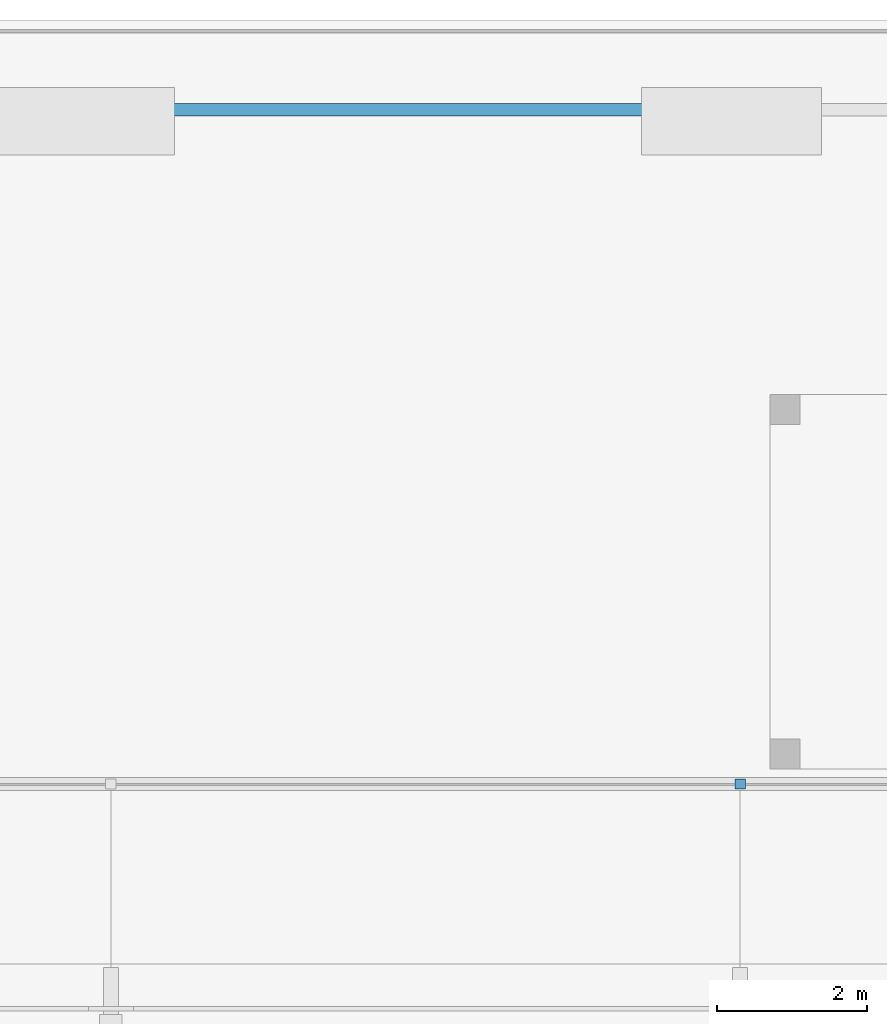
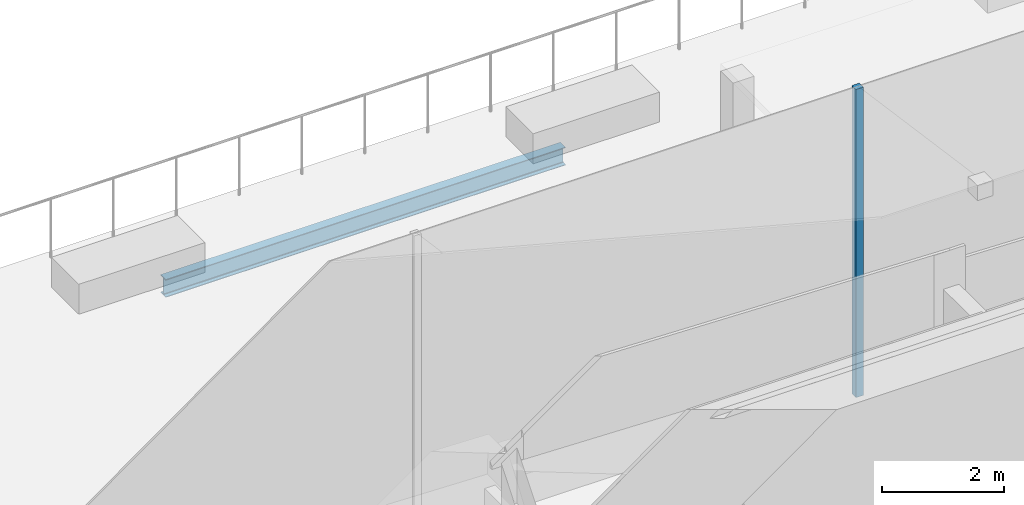
# One storey, part 15 of 60: 1 beam, 1 member.
"""IFC4 building model written with IfcOpenShell, lengths in metres."""

from ifc_helpers import new_model, si_unit, direction, frame, origin, origin_2d, place, context, subcontext, project, spatial, rectangle, i_section, extrude, material, material_profile, profile_set, type_object, element, save


model = new_model("IFC4")

# Units and contexts
model_context = context("Model", 3, precision=1e-05, world=origin(), true_north=direction((0.0, 1.0)))
body_context = subcontext(model_context, "Body", "Model", "MODEL_VIEW")
ifc_project = project(units=[si_unit("LENGTHUNIT", "METRE"), si_unit("AREAUNIT", "SQUARE_METRE"), si_unit("VOLUMEUNIT", "CUBIC_METRE"), si_unit("PLANEANGLEUNIT", "RADIAN"), si_unit("MASSUNIT", "GRAM", prefix="KILO")], contexts=[model_context])

# Site, building, storey
site_placement = place(None, origin())
site = spatial("IfcSite", under=ifc_project, at=site_placement, CompositionType="ELEMENT")
building_placement = place(site_placement, origin())
building = spatial("IfcBuilding", under=site, at=building_placement, Name="Saffron Gate Tower", CompositionType="ELEMENT")
storey_placement = place(building_placement, frame((0.0, 0.0, 19.199951171875)))
storey = spatial("IfcBuildingStorey", under=building, at=storey_placement, Name="L03", CompositionType="ELEMENT", Elevation=19.199951171875)

# Beam
ifc_material = material(Name="Structural steel S355", Category="steel")
ifc_material_profile_1 = material_profile(ifc_material, i_section(OverallWidth=0.169921875, OverallDepth=0.360107421875, WebThickness=0.008056640625, FlangeThickness=0.0126953125, FilletRadius=0.01806640625, at=origin_2d()))
ifc_profile_set_1 = profile_set([ifc_material_profile_1], Name="Structural steel S355")
beam_type = type_object("IfcBeamType", Name="B1 IPE 360", PredefinedType="BEAM", material=ifc_profile_set_1)
beam_placement = place(storey_placement, frame((75.39990234375, 88.800048828125, -0.47998046875), z_axis=(1.0, 0.0, 0.0), x_axis=(0.0, 1.0, 0.0)))
element("IfcBeam", 1, at=beam_placement, inside=storey, type_object=beam_type, Name="B1 PODIUM EDGE BEAM", PredefinedType="BEAM", context=body_context, shape_type="SweptSolid", body=[
    extrude(i_section(OverallWidth=0.169921875, OverallDepth=0.360107421875, WebThickness=0.008056640625, FlangeThickness=0.0126953125, FilletRadius=0.01806640625, at=origin_2d()), origin(), (0.0, 0.0, 1.0), 7.60009765625),
])

# Member
ifc_material_profile_2 = material_profile(ifc_material, rectangle(XDim=0.139892578125, YDim=0.139892578125, at=origin_2d()))
ifc_profile_set_2 = profile_set([ifc_material_profile_2], Name="Structural steel S355")
member_type = type_object("IfcMemberType", Name="HL1 hall post", PredefinedType="POST", material=ifc_profile_set_2)
member_placement = place(storey_placement, frame((83.39990234375, 79.800048828125, 0.0), z_axis=(0.0, 0.0, 1.0), x_axis=(1.0, 0.0, 0.0)))
element("IfcMember", 2, at=member_placement, inside=storey, type_object=member_type, Name="HALL POST", PredefinedType="POST", context=body_context, shape_type="SweptSolid", body=[
    extrude(rectangle(XDim=0.139892578125, YDim=0.139892578125, at=origin_2d()), origin(), (0.0, 0.0, 1.0), 6.18994140625),
])

save(model, "model.ifc")
